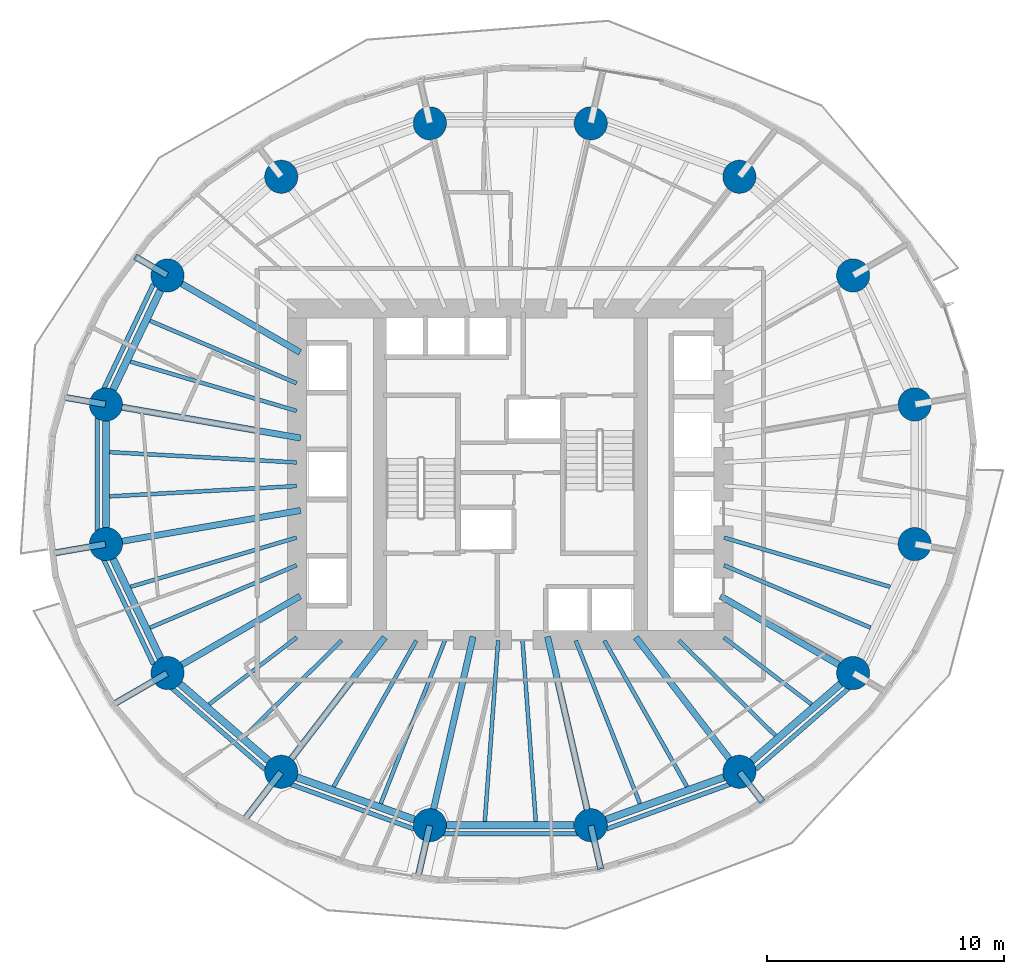
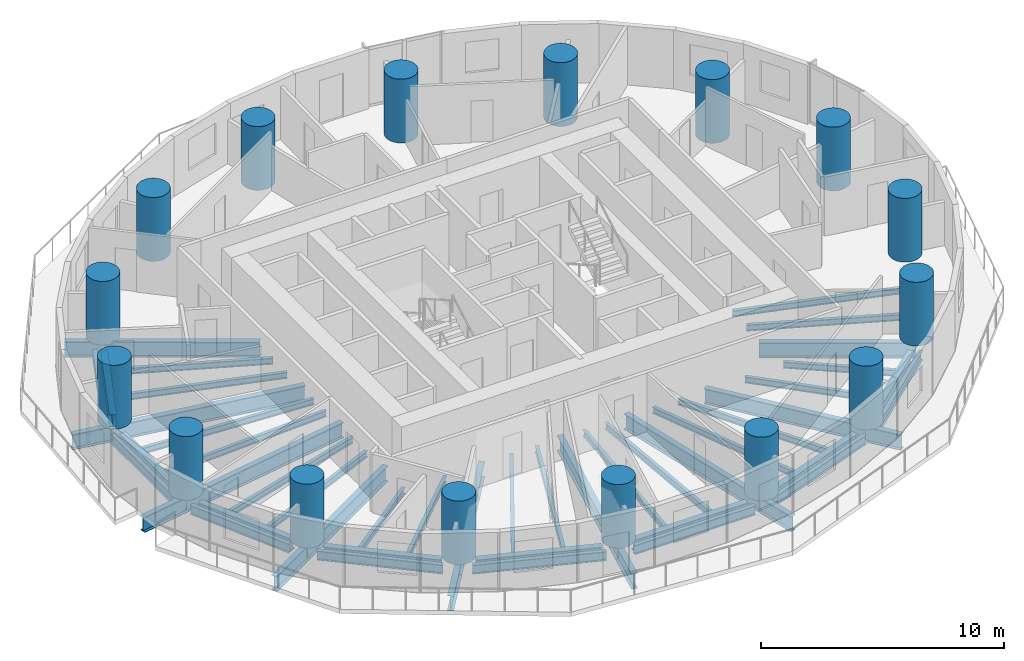
# One storey, part 1 of 13: 51 beams, 16 columns.
"""IFC4 building model written with IfcOpenShell, lengths in metres."""

from ifc_helpers import new_model, si_unit, direction, frame, origin, origin_2d, place, context, subcontext, project, spatial, circle, i_section, extrude, material, material_profile, profile_set, type_object, element, save


model = new_model("IFC4")

# Units and contexts
model_context = context("Model", 3, precision=1e-05, world=origin(), true_north=direction((0.0, 1.0)))
body_context = subcontext(model_context, "Body", "Model", "MODEL_VIEW")
ifc_project = project(units=[si_unit("LENGTHUNIT", "METRE"), si_unit("AREAUNIT", "SQUARE_METRE"), si_unit("VOLUMEUNIT", "CUBIC_METRE"), si_unit("PLANEANGLEUNIT", "RADIAN"), si_unit("MASSUNIT", "GRAM", prefix="KILO")], contexts=[model_context])

# Site, building, storey
site_placement = place(None, origin())
site = spatial("IfcSite", under=ifc_project, at=site_placement, CompositionType="ELEMENT")
building_placement = place(site_placement, origin())
building = spatial("IfcBuilding", under=site, at=building_placement, Name="Veldorim Arch Residences", CompositionType="ELEMENT")
storey_placement = place(building_placement, frame((0.0, 0.0, 56.800048828125)))
storey = spatial("IfcBuildingStorey", under=building, at=storey_placement, Name="L16", CompositionType="ELEMENT", Elevation=56.800048828125)

# Columns
ifc_material_1 = material(Name="Concrete C60/75", Category="concrete")
ifc_material_profile_1 = material_profile(ifc_material_1, circle(Radius=0.699951171875, at=origin_2d()), Name="RC_CIRC_1400")
ifc_profile_set_1 = profile_set([ifc_material_profile_1], Name="Concrete C60/75")
column_type = type_object("IfcColumnType", Name="Structural Column RC_CIRC_1400", PredefinedType="COLUMN", material=ifc_profile_set_1)
for number, where, z_axis, x_axis, name in (
    (1, (49.065673828125, 26.94580078125, 0.0), (0.0, 0.0, 1.0), (1.0, 0.0, 0.0), "L16 TC-Z1-01 perimeter column"),
    (2, (46.467529296875, 32.38916015625, 0.0), (0.0, 0.0, 1.0), (1.0, 0.0, 0.0), "L16 TC-Z1-02 perimeter column"),
    (3, (41.6669921875, 36.55517578125, 0.0), (0.0, 0.0, 1.0), (1.0, 0.0, 0.0), "L16 TC-Z1-03 perimeter column"),
    (4, (35.39453125, 38.809814453125, 0.0), (0.0, 0.0, 1.0), (1.0, 0.0, 0.0), "L16 TC-Z1-04 perimeter column"),
    (5, (28.60546875, 38.809814453125, 0.0), (0.0, 0.0, 1.0), (1.0, 0.0, 0.0), "L16 TC-Z1-05 perimeter column"),
    (6, (22.3330078125, 36.55517578125, 0.0), (0.0, 0.0, 1.0), (1.0, 0.0, 0.0), "L16 TC-Z1-06 perimeter column"),
    (7, (17.532470703125, 32.38916015625, 0.0), (0.0, 0.0, 1.0), (1.0, 0.0, 0.0), "L16 TC-Z1-07 perimeter column"),
    (8, (14.934326171875, 26.94580078125, 0.0), (0.0, 0.0, 1.0), (1.0, 0.0, 0.0), "L16 TC-Z1-08 perimeter column"),
    (9, (14.934326171875, 21.05419921875, 0.0), (0.0, 0.0, 1.0), (1.0, 0.0, 0.0), "L16 TC-Z1-09 perimeter column"),
    (10, (17.532470703125, 15.61083984375, 0.0), (0.0, 0.0, 1.0), (1.0, 0.0, 0.0), "L16 TC-Z1-10 perimeter column"),
    (11, (22.3330078125, 11.44482421875, 0.0), (0.0, 0.0, 1.0), (1.0, 0.0, 0.0), "L16 TC-Z1-11 perimeter column"),
    (12, (28.60546875, 9.190185546875, 0.0), (0.0, 0.0, 1.0), (1.0, 0.0, 0.0), "L16 TC-Z1-12 perimeter column"),
    (13, (35.39453125, 9.190185546875, 0.0), (0.0, 0.0, 1.0), (1.0, 0.0, 0.0), "L16 TC-Z1-13 perimeter column"),
    (14, (41.6669921875, 11.44482421875, 0.0), (0.0, 0.0, 1.0), (1.0, 0.0, 0.0), "L16 TC-Z1-14 perimeter column"),
    (15, (46.467529296875, 15.61083984375, 0.0), (0.0, 0.0, 1.0), (1.0, 0.0, 0.0), "L16 TC-Z1-15 perimeter column"),
    (16, (49.065673828125, 21.05419921875, 0.0), (0.0, 0.0, 1.0), (1.0, 0.0, 0.0), "L16 TC-Z1-16 perimeter column"),
):
    element("IfcColumn", number, at=place(storey_placement, frame(where, z_axis=z_axis, x_axis=x_axis)), inside=storey, type_object=column_type, Name=name, PredefinedType="COLUMN", context=body_context, shape_type="SweptSolid", body=[
        extrude(circle(Radius=0.699951171875, at=origin_2d()), origin(), (0.0, 0.0, 1.0), 3.199951171875),
    ])

# Beams
ifc_material_2 = material(Name="Steel S355", Category="steel")
ifc_material_profile_2 = material_profile(ifc_material_2, i_section(OverallWidth=0.30712890625, OverallDepth=0.6201171875, WebThickness=0.01416015625, FlangeThickness=0.023681640625, at=origin_2d()), Name="UB610x305x179")
ifc_profile_set_2 = profile_set([ifc_material_profile_2], Name="Steel S355")
beam_type_1 = type_object("IfcBeamType", Name="Structural Steel Beam UB610x305x179", PredefinedType="BEAM", material=ifc_profile_set_2)
beam_1_placement = place(storey_placement, frame((17.23095703125, 31.75732421875, -0.550048828125), z_axis=(-0.430776422552, -0.902458682585, 0.0), x_axis=(0.902458682585, -0.430776422552, 0.0)))
element("IfcBeam", 17, at=beam_1_placement, inside=storey, type_object=beam_type_1, Name="L16 perimeter ring tie beam 07", PredefinedType="BEAM", context=body_context, shape_type="SweptSolid", body=[
    extrude(i_section(OverallWidth=0.30712890625, OverallDepth=0.6201171875, WebThickness=0.01416015625, FlangeThickness=0.023681640625, at=origin_2d()), origin(), (0.0, 0.0, 1.0), 4.63134765625),
])
beam_2_placement = place(storey_placement, frame((14.934326171875, 26.245849609375, -0.550048828125), z_axis=(0.0, -1.0, 0.0), x_axis=(1.0, 0.0, 0.0)))
element("IfcBeam", 18, at=beam_2_placement, inside=storey, type_object=beam_type_1, Name="L16 perimeter ring tie beam 08", PredefinedType="BEAM", context=body_context, shape_type="SweptSolid", body=[
    extrude(i_section(OverallWidth=0.30712890625, OverallDepth=0.6201171875, WebThickness=0.01416015625, FlangeThickness=0.023681640625, at=origin_2d()), origin(), (0.0, 0.0, 1.0), 4.49169921875),
])
beam_3_placement = place(storey_placement, frame((15.23583984375, 20.42236328125, -0.550048828125), z_axis=(0.430776422552, -0.902458682585, 0.0), x_axis=(0.902458682585, 0.430776422552, 0.0)))
element("IfcBeam", 19, at=beam_3_placement, inside=storey, type_object=beam_type_1, Name="L16 perimeter ring tie beam 09", PredefinedType="BEAM", context=body_context, shape_type="SweptSolid", body=[
    extrude(i_section(OverallWidth=0.30712890625, OverallDepth=0.6201171875, WebThickness=0.01416015625, FlangeThickness=0.023681640625, at=origin_2d()), origin(), (0.0, 0.0, 1.0), 4.63134765625),
])
beam_4_placement = place(storey_placement, frame((18.06103515625, 15.152099609375, -0.550048828125), z_axis=(0.755264734985, -0.655419850239, 0.0), x_axis=(0.655419850239, 0.755264734985, 0.0)))
element("IfcBeam", 20, at=beam_4_placement, inside=storey, type_object=beam_type_1, Name="L16 perimeter ring tie beam 10", PredefinedType="BEAM", context=body_context, shape_type="SweptSolid", body=[
    extrude(i_section(OverallWidth=0.30712890625, OverallDepth=0.6201171875, WebThickness=0.01416015625, FlangeThickness=0.023681640625, at=origin_2d()), origin(), (0.0, 0.0, 1.0), 4.956298828125),
])
beam_5_placement = place(storey_placement, frame((22.99169921875, 11.2080078125, -0.550048828125), z_axis=(0.941058113369, -0.338244922006, 0.0), x_axis=(0.338244922006, 0.941058113369, 0.0)))
element("IfcBeam", 21, at=beam_5_placement, inside=storey, type_object=beam_type_1, Name="L16 perimeter ring tie beam 11", PredefinedType="BEAM", context=body_context, shape_type="SweptSolid", body=[
    extrude(i_section(OverallWidth=0.30712890625, OverallDepth=0.6201171875, WebThickness=0.01416015625, FlangeThickness=0.023681640625, at=origin_2d()), origin(), (0.0, 0.0, 1.0), 5.265380859375),
])
beam_6_placement = place(storey_placement, frame((29.305419921875, 9.190185546875, -0.550048828125), z_axis=(1.0, 0.0, 0.0), x_axis=(0.0, 1.0, 0.0)))
element("IfcBeam", 22, at=beam_6_placement, inside=storey, type_object=beam_type_1, Name="L16 perimeter ring tie beam 12", PredefinedType="BEAM", context=body_context, shape_type="SweptSolid", body=[
    extrude(i_section(OverallWidth=0.30712890625, OverallDepth=0.6201171875, WebThickness=0.01416015625, FlangeThickness=0.023681640625, at=origin_2d()), origin(), (0.0, 0.0, 1.0), 5.38916015625),
])
beam_7_placement = place(storey_placement, frame((36.05322265625, 9.427001953125, -0.550048828125), z_axis=(0.941058113369, 0.338244922006, 0.0), x_axis=(-0.338244922006, 0.941058113369, 0.0)))
element("IfcBeam", 23, at=beam_7_placement, inside=storey, type_object=beam_type_1, Name="L16 perimeter ring tie beam 13", PredefinedType="BEAM", context=body_context, shape_type="SweptSolid", body=[
    extrude(i_section(OverallWidth=0.30712890625, OverallDepth=0.6201171875, WebThickness=0.01416015625, FlangeThickness=0.023681640625, at=origin_2d()), origin(), (0.0, 0.0, 1.0), 5.265380859375),
])
beam_8_placement = place(storey_placement, frame((42.195556640625, 11.903564453125, -0.550048828125), z_axis=(0.755264734985, 0.655419850239, 0.0), x_axis=(-0.655419850239, 0.755264734985, 0.0)))
element("IfcBeam", 24, at=beam_8_placement, inside=storey, type_object=beam_type_1, Name="L16 perimeter ring tie beam 14", PredefinedType="BEAM", context=body_context, shape_type="SweptSolid", body=[
    extrude(i_section(OverallWidth=0.30712890625, OverallDepth=0.6201171875, WebThickness=0.01416015625, FlangeThickness=0.023681640625, at=origin_2d()), origin(), (0.0, 0.0, 1.0), 4.956298828125),
])
ifc_material_3 = material(Name="Steel S355", Category="steel")
ifc_material_profile_3 = material_profile(ifc_material_3, i_section(OverallWidth=0.26806640625, OverallDepth=0.769775390625, WebThickness=0.015625, FlangeThickness=0.025390625, at=origin_2d()), Name="UB762x267x197")
ifc_profile_set_3 = profile_set([ifc_material_profile_3], Name="Steel S355")
beam_type_2 = type_object("IfcBeamType", Name="Structural Steel GIRDER UB762x267x197", PredefinedType="USERDEFINED", material=ifc_profile_set_3)
beam_9_placement = place(storey_placement, frame((23.1298828125, 29.1435546875, -0.625), z_axis=(-0.865088348752, 0.501619525989, 0.0), x_axis=(-0.501619525989, -0.865088348752, 0.0)))
element("IfcBeam", 25, at=beam_9_placement, inside=storey, type_object=beam_type_2, Name="L16 radial floor girder 07", ObjectType="GIRDER", PredefinedType="USERDEFINED", context=body_context, shape_type="SweptSolid", body=[
    extrude(i_section(OverallWidth=0.26806640625, OverallDepth=0.769775390625, WebThickness=0.015625, FlangeThickness=0.025390625, at=origin_2d()), origin(), (0.0, 0.0, 1.0), 6.4501953125),
])
beam_10_placement = place(storey_placement, frame((17.51513671875, 32.399169921875, -0.625), z_axis=(-0.865069192435, 0.50165256134, 0.0), x_axis=(-0.50165256134, -0.865069192435, 0.0)))
element("IfcBeam", 26, at=beam_10_placement, inside=storey, type_object=beam_type_2, Name="L16 radial edge cantilever girder 07", ObjectType="GIRDER", PredefinedType="USERDEFINED", context=body_context, shape_type="SweptSolid", body=[
    extrude(i_section(OverallWidth=0.26806640625, OverallDepth=0.769775390625, WebThickness=0.015625, FlangeThickness=0.025390625, at=origin_2d()), origin(), (0.0, 0.0, 1.0), 1.561279296875),
])
beam_11_placement = place(storey_placement, frame((23.147705078125, 25.528076171875, -0.625), z_axis=(-0.985427548249, 0.170095699979, 0.0), x_axis=(-0.170095699979, -0.985427548249, 0.0)))
element("IfcBeam", 27, at=beam_11_placement, inside=storey, type_object=beam_type_2, Name="L16 radial floor girder 08", ObjectType="GIRDER", PredefinedType="USERDEFINED", context=body_context, shape_type="SweptSolid", body=[
    extrude(i_section(OverallWidth=0.26806640625, OverallDepth=0.769775390625, WebThickness=0.015625, FlangeThickness=0.025390625, at=origin_2d()), origin(), (0.0, 0.0, 1.0), 8.314697265625),
])
beam_12_placement = place(storey_placement, frame((14.91455078125, 26.94921875, -0.625), z_axis=(-0.985429411719, 0.170084903857, 0.0), x_axis=(-0.170084903857, -0.985429411719, 0.0)))
element("IfcBeam", 28, at=beam_12_placement, inside=storey, type_object=beam_type_2, Name="L16 radial edge cantilever girder 08", ObjectType="GIRDER", PredefinedType="USERDEFINED", context=body_context, shape_type="SweptSolid", body=[
    extrude(i_section(OverallWidth=0.26806640625, OverallDepth=0.769775390625, WebThickness=0.015625, FlangeThickness=0.025390625, at=origin_2d()), origin(), (0.0, 0.0, 1.0), 1.83740234375),
])
beam_13_placement = place(storey_placement, frame((23.147705078125, 22.471923828125, -0.625), z_axis=(-0.985427548249, -0.170095699979, 0.0), x_axis=(0.170095699979, -0.985427548249, 0.0)))
element("IfcBeam", 29, at=beam_13_placement, inside=storey, type_object=beam_type_2, Name="L16 radial floor girder 09", ObjectType="GIRDER", PredefinedType="USERDEFINED", context=body_context, shape_type="SweptSolid", body=[
    extrude(i_section(OverallWidth=0.26806640625, OverallDepth=0.769775390625, WebThickness=0.015625, FlangeThickness=0.025390625, at=origin_2d()), origin(), (0.0, 0.0, 1.0), 8.314697265625),
])
beam_14_placement = place(storey_placement, frame((14.91455078125, 21.05078125, -0.625), z_axis=(-0.985413878658, -0.170174874021, 0.0), x_axis=(0.170174874021, -0.985413878658, 0.0)))
element("IfcBeam", 30, at=beam_14_placement, inside=storey, type_object=beam_type_2, Name="L16 radial edge cantilever girder 09", ObjectType="GIRDER", PredefinedType="USERDEFINED", context=body_context, shape_type="SweptSolid", body=[
    extrude(i_section(OverallWidth=0.26806640625, OverallDepth=0.769775390625, WebThickness=0.015625, FlangeThickness=0.025390625, at=origin_2d()), origin(), (0.0, 0.0, 1.0), 2.288330078125),
])
beam_15_placement = place(storey_placement, frame((23.1298828125, 18.8564453125, -0.625), z_axis=(-0.865088348752, -0.501619525989, 0.0), x_axis=(0.501619525989, -0.865088348752, 0.0)))
element("IfcBeam", 31, at=beam_15_placement, inside=storey, type_object=beam_type_2, Name="L16 radial floor girder 10", ObjectType="GIRDER", PredefinedType="USERDEFINED", context=body_context, shape_type="SweptSolid", body=[
    extrude(i_section(OverallWidth=0.26806640625, OverallDepth=0.769775390625, WebThickness=0.015625, FlangeThickness=0.025390625, at=origin_2d()), origin(), (0.0, 0.0, 1.0), 6.4501953125),
])
beam_16_placement = place(storey_placement, frame((17.51513671875, 15.600830078125, -0.625), z_axis=(-0.865102620341, -0.501594912534, 0.0), x_axis=(0.501594912534, -0.865102620341, 0.0)))
element("IfcBeam", 32, at=beam_16_placement, inside=storey, type_object=beam_type_2, Name="L16 radial edge cantilever girder 10", ObjectType="GIRDER", PredefinedType="USERDEFINED", context=body_context, shape_type="SweptSolid", body=[
    extrude(i_section(OverallWidth=0.26806640625, OverallDepth=0.769775390625, WebThickness=0.015625, FlangeThickness=0.025390625, at=origin_2d()), origin(), (0.0, 0.0, 1.0), 2.669677734375),
])
beam_17_placement = place(storey_placement, frame((26.701904296875, 17.118896484375, -0.625), z_axis=(-0.610082439157, -0.792337943956, 0.0), x_axis=(0.792337943956, -0.610082439157, 0.0)))
element("IfcBeam", 33, at=beam_17_placement, inside=storey, type_object=beam_type_2, Name="L16 radial floor girder 11", ObjectType="GIRDER", PredefinedType="USERDEFINED", context=body_context, shape_type="SweptSolid", body=[
    extrude(i_section(OverallWidth=0.26806640625, OverallDepth=0.769775390625, WebThickness=0.015625, FlangeThickness=0.025390625, at=origin_2d()), origin(), (0.0, 0.0, 1.0), 7.14111328125),
])
beam_18_placement = place(storey_placement, frame((22.32080078125, 11.428955078125, -0.625), z_axis=(-0.610041651391, -0.792369347948, 0.0), x_axis=(0.792369347948, -0.610041651391, 0.0)))
element("IfcBeam", 34, at=beam_18_placement, inside=storey, type_object=beam_type_2, Name="L16 radial edge cantilever girder 11", ObjectType="GIRDER", PredefinedType="USERDEFINED", context=body_context, shape_type="SweptSolid", body=[
    extrude(i_section(OverallWidth=0.26806640625, OverallDepth=0.769775390625, WebThickness=0.015625, FlangeThickness=0.025390625, at=origin_2d()), origin(), (0.0, 0.0, 1.0), 2.56689453125),
])
beam_19_placement = place(storey_placement, frame((30.428955078125, 17.146240234375, -0.625), z_axis=(-0.223411766201, -0.974724157248, 0.0), x_axis=(0.974724157248, -0.223411766201, 0.0)))
element("IfcBeam", 35, at=beam_19_placement, inside=storey, type_object=beam_type_2, Name="L16 radial floor girder 12", ObjectType="GIRDER", PredefinedType="USERDEFINED", context=body_context, shape_type="SweptSolid", body=[
    extrude(i_section(OverallWidth=0.26806640625, OverallDepth=0.769775390625, WebThickness=0.015625, FlangeThickness=0.025390625, at=origin_2d()), origin(), (0.0, 0.0, 1.0), 8.142333984375),
])
beam_20_placement = place(storey_placement, frame((28.600830078125, 9.170654296875, -0.625), z_axis=(-0.223363216183, -0.974735283888, 0.0), x_axis=(0.974735283888, -0.223363216183, 0.0)))
element("IfcBeam", 36, at=beam_20_placement, inside=storey, type_object=beam_type_2, Name="L16 radial edge cantilever girder 12", ObjectType="GIRDER", PredefinedType="USERDEFINED", context=body_context, shape_type="SweptSolid", body=[
    extrude(i_section(OverallWidth=0.26806640625, OverallDepth=0.769775390625, WebThickness=0.015625, FlangeThickness=0.025390625, at=origin_2d()), origin(), (0.0, 0.0, 1.0), 2.24072265625),
])
beam_21_placement = place(storey_placement, frame((33.571044921875, 17.146240234375, -0.625), z_axis=(0.223411766201, -0.974724157248, 0.0), x_axis=(0.974724157248, 0.223411766201, 0.0)))
element("IfcBeam", 37, at=beam_21_placement, inside=storey, type_object=beam_type_2, Name="L16 radial floor girder 13", ObjectType="GIRDER", PredefinedType="USERDEFINED", context=body_context, shape_type="SweptSolid", body=[
    extrude(i_section(OverallWidth=0.26806640625, OverallDepth=0.769775390625, WebThickness=0.015625, FlangeThickness=0.025390625, at=origin_2d()), origin(), (0.0, 0.0, 1.0), 8.142333984375),
])
beam_22_placement = place(storey_placement, frame((35.399169921875, 9.170654296875, -0.625), z_axis=(0.223322154624, -0.974744692345, 0.0), x_axis=(0.974744692345, 0.223322154624, 0.0)))
element("IfcBeam", 38, at=beam_22_placement, inside=storey, type_object=beam_type_2, Name="L16 radial edge cantilever girder 13", ObjectType="GIRDER", PredefinedType="USERDEFINED", context=body_context, shape_type="SweptSolid", body=[
    extrude(i_section(OverallWidth=0.26806640625, OverallDepth=0.769775390625, WebThickness=0.015625, FlangeThickness=0.025390625, at=origin_2d()), origin(), (0.0, 0.0, 1.0), 1.879150390625),
])
beam_23_placement = place(storey_placement, frame((37.298095703125, 17.118896484375, -0.625), z_axis=(0.610082439157, -0.792337943956, 0.0), x_axis=(0.792337943956, 0.610082439157, 0.0)))
element("IfcBeam", 39, at=beam_23_placement, inside=storey, type_object=beam_type_2, Name="L16 radial floor girder 14", ObjectType="GIRDER", PredefinedType="USERDEFINED", context=body_context, shape_type="SweptSolid", body=[
    extrude(i_section(OverallWidth=0.26806640625, OverallDepth=0.769775390625, WebThickness=0.015625, FlangeThickness=0.025390625, at=origin_2d()), origin(), (0.0, 0.0, 1.0), 7.14111328125),
])
beam_24_placement = place(storey_placement, frame((41.67919921875, 11.428955078125, -0.625), z_axis=(0.610061594732, -0.792353993259, 0.0), x_axis=(0.792353993259, 0.610061594732, 0.0)))
element("IfcBeam", 40, at=beam_24_placement, inside=storey, type_object=beam_type_2, Name="L16 radial edge cantilever girder 14", ObjectType="GIRDER", PredefinedType="USERDEFINED", context=body_context, shape_type="SweptSolid", body=[
    extrude(i_section(OverallWidth=0.26806640625, OverallDepth=0.769775390625, WebThickness=0.015625, FlangeThickness=0.025390625, at=origin_2d()), origin(), (0.0, 0.0, 1.0), 1.580322265625),
])
beam_25_placement = place(storey_placement, frame((40.8701171875, 18.8564453125, -0.625), z_axis=(0.865088348752, -0.501619525989, 0.0), x_axis=(0.501619525989, 0.865088348752, 0.0)))
element("IfcBeam", 41, at=beam_25_placement, inside=storey, type_object=beam_type_2, Name="L16 radial floor girder 15", ObjectType="GIRDER", PredefinedType="USERDEFINED", context=body_context, shape_type="SweptSolid", body=[
    extrude(i_section(OverallWidth=0.26806640625, OverallDepth=0.769775390625, WebThickness=0.015625, FlangeThickness=0.025390625, at=origin_2d()), origin(), (0.0, 0.0, 1.0), 6.4501953125),
])
ifc_material_4 = material(Name="Steel S355", Category="steel")
ifc_material_profile_4 = material_profile(ifc_material_4, i_section(OverallWidth=0.165771484375, OverallDepth=0.306640625, WebThickness=0.006591796875, FlangeThickness=0.01171875, at=origin_2d()), Name="UB305x165x46")
ifc_profile_set_4 = profile_set([ifc_material_profile_4], Name="Steel S355")
beam_type_3 = type_object("IfcBeamType", Name="Structural Steel Joist UB305x165x46", PredefinedType="JOIST", material=ifc_profile_set_4)
beam_26_placement = place(storey_placement, frame((22.981689453125, 27.84130859375, -0.393310546875), z_axis=(-0.920032948668, 0.391841005213, 0.0), x_axis=(-0.391841005213, -0.920032948668, 0.0)))
element("IfcBeam", 42, at=beam_26_placement, inside=storey, type_object=beam_type_3, Name="L16 secondary radial floor joist 07-1", PredefinedType="JOIST", context=body_context, shape_type="SweptSolid", body=[
    extrude(i_section(OverallWidth=0.165771484375, OverallDepth=0.306640625, WebThickness=0.006591796875, FlangeThickness=0.01171875, at=origin_2d()), origin(), (0.0, 0.0, 1.0), 6.723388671875),
])
beam_27_placement = place(storey_placement, frame((22.980712890625, 26.67333984375, -0.393310546875), z_axis=(-0.958766778771, 0.284194060325, 0.0), x_axis=(-0.284194060325, -0.958766778771, 0.0)))
element("IfcBeam", 43, at=beam_27_placement, inside=storey, type_object=beam_type_3, Name="L16 secondary radial floor joist 07-2", PredefinedType="JOIST", context=body_context, shape_type="SweptSolid", body=[
    extrude(i_section(OverallWidth=0.165771484375, OverallDepth=0.306640625, WebThickness=0.006591796875, FlangeThickness=0.01171875, at=origin_2d()), origin(), (0.0, 0.0, 1.0), 7.3115234375),
])
for number, where, z_axis, x_axis, name in (
    (44, (22.97998046875, 24.498291015625, -0.393310546875), (-0.998478371109, 0.055144740699, 0.0), (-0.055144740699, -0.998478371109, 0.0), "L16 secondary radial floor joist 08-1"),
    (45, (22.97998046875, 23.501708984375, -0.393310546875), (-0.998478371109, -0.055144740699, 0.0), (0.055144740699, -0.998478371109, 0.0), "L16 secondary radial floor joist 08-2"),
):
    element("IfcBeam", number, at=place(storey_placement, frame(where, z_axis=z_axis, x_axis=x_axis)), inside=storey, type_object=beam_type_3, Name=name, PredefinedType="JOIST", context=body_context, shape_type="SweptSolid", body=[
        extrude(i_section(OverallWidth=0.165771484375, OverallDepth=0.306640625, WebThickness=0.006591796875, FlangeThickness=0.01171875, at=origin_2d()), origin(), (0.0, 0.0, 1.0), 7.898193359375),
    ])
beam_28_placement = place(storey_placement, frame((22.980712890625, 21.32666015625, -0.393310546875), z_axis=(-0.958766778771, -0.284194060325, 0.0), x_axis=(0.284194060325, -0.958766778771, 0.0)))
element("IfcBeam", 46, at=beam_28_placement, inside=storey, type_object=beam_type_3, Name="L16 secondary radial floor joist 09-1", PredefinedType="JOIST", context=body_context, shape_type="SweptSolid", body=[
    extrude(i_section(OverallWidth=0.165771484375, OverallDepth=0.306640625, WebThickness=0.006591796875, FlangeThickness=0.01171875, at=origin_2d()), origin(), (0.0, 0.0, 1.0), 7.3115234375),
])
beam_29_placement = place(storey_placement, frame((22.981689453125, 20.15869140625, -0.393310546875), z_axis=(-0.920032948668, -0.391841005213, 0.0), x_axis=(0.391841005213, -0.920032948668, 0.0)))
element("IfcBeam", 47, at=beam_29_placement, inside=storey, type_object=beam_type_3, Name="L16 secondary radial floor joist 09-2", PredefinedType="JOIST", context=body_context, shape_type="SweptSolid", body=[
    extrude(i_section(OverallWidth=0.165771484375, OverallDepth=0.306640625, WebThickness=0.006591796875, FlangeThickness=0.01171875, at=origin_2d()), origin(), (0.0, 0.0, 1.0), 6.723388671875),
])
beam_30_placement = place(storey_placement, frame((22.984130859375, 17.1123046875, -0.393310546875), z_axis=(-0.794666431166, -0.607046343517, 0.0), x_axis=(0.607046343517, -0.794666431166, 0.0)))
element("IfcBeam", 48, at=beam_30_placement, inside=storey, type_object=beam_type_3, Name="L16 secondary radial floor joist 10-1", PredefinedType="JOIST", context=body_context, shape_type="SweptSolid", body=[
    extrude(i_section(OverallWidth=0.165771484375, OverallDepth=0.306640625, WebThickness=0.006591796875, FlangeThickness=0.01171875, at=origin_2d()), origin(), (0.0, 0.0, 1.0), 4.646728515625),
])
beam_31_placement = place(storey_placement, frame((24.885009765625, 16.986083984375, -0.393310546875), z_axis=(-0.712129078446, -0.702048556463, 0.0), x_axis=(0.702048556463, -0.712129078446, 0.0)))
element("IfcBeam", 49, at=beam_31_placement, inside=storey, type_object=beam_type_3, Name="L16 secondary radial floor joist 10-2", PredefinedType="JOIST", context=body_context, shape_type="SweptSolid", body=[
    extrude(i_section(OverallWidth=0.165771484375, OverallDepth=0.306640625, WebThickness=0.006591796875, FlangeThickness=0.01171875, at=origin_2d()), origin(), (0.0, 0.0, 1.0), 5.715576171875),
])
beam_32_placement = place(storey_placement, frame((28.03125, 16.982666015625, -0.393310546875), z_axis=(-0.492292335352, -0.870429926274, 0.0), x_axis=(0.870429926274, -0.492292335352, 0.0)))
element("IfcBeam", 50, at=beam_32_placement, inside=storey, type_object=beam_type_3, Name="L16 secondary radial floor joist 11-1", PredefinedType="JOIST", context=body_context, shape_type="SweptSolid", body=[
    extrude(i_section(OverallWidth=0.165771484375, OverallDepth=0.306640625, WebThickness=0.006591796875, FlangeThickness=0.01171875, at=origin_2d()), origin(), (0.0, 0.0, 1.0), 7.083251953125),
])
beam_33_placement = place(storey_placement, frame((29.237548828125, 16.9814453125, -0.393310546875), z_axis=(-0.366229833858, -0.930524426758, 0.0), x_axis=(0.930524426758, -0.366229833858, 0.0)))
element("IfcBeam", 51, at=beam_33_placement, inside=storey, type_object=beam_type_3, Name="L16 secondary radial floor joist 11-2", PredefinedType="JOIST", context=body_context, shape_type="SweptSolid", body=[
    extrude(i_section(OverallWidth=0.165771484375, OverallDepth=0.306640625, WebThickness=0.006591796875, FlangeThickness=0.01171875, at=origin_2d()), origin(), (0.0, 0.0, 1.0), 7.3896484375),
])
for number, where, z_axis, x_axis, name in (
    (52, (31.485107421875, 16.97998046875, -0.393310546875), (-0.073167620373, -0.997319657547, 0.0), (0.997319657547, -0.073167620373, 0.0), "L16 secondary radial floor joist 12-1"),
    (53, (32.514892578125, 16.97998046875, -0.393310546875), (0.073167620373, -0.997319657547, 0.0), (0.997319657547, 0.073167620373, 0.0), "L16 secondary radial floor joist 12-2"),
):
    element("IfcBeam", number, at=place(storey_placement, frame(where, z_axis=z_axis, x_axis=x_axis)), inside=storey, type_object=beam_type_3, Name=name, PredefinedType="JOIST", context=body_context, shape_type="SweptSolid", body=[
        extrude(i_section(OverallWidth=0.165771484375, OverallDepth=0.306640625, WebThickness=0.006591796875, FlangeThickness=0.01171875, at=origin_2d()), origin(), (0.0, 0.0, 1.0), 7.651123046875),
    ])
beam_34_placement = place(storey_placement, frame((34.762451171875, 16.9814453125, -0.393310546875), z_axis=(0.366229833858, -0.930524426758, 0.0), x_axis=(0.930524426758, 0.366229833858, 0.0)))
element("IfcBeam", 54, at=beam_34_placement, inside=storey, type_object=beam_type_3, Name="L16 secondary radial floor joist 13-1", PredefinedType="JOIST", context=body_context, shape_type="SweptSolid", body=[
    extrude(i_section(OverallWidth=0.165771484375, OverallDepth=0.306640625, WebThickness=0.006591796875, FlangeThickness=0.01171875, at=origin_2d()), origin(), (0.0, 0.0, 1.0), 7.3896484375),
])
beam_35_placement = place(storey_placement, frame((35.96875, 16.982666015625, -0.393310546875), z_axis=(0.492292335352, -0.870429926274, 0.0), x_axis=(0.870429926274, 0.492292335352, 0.0)))
element("IfcBeam", 55, at=beam_35_placement, inside=storey, type_object=beam_type_3, Name="L16 secondary radial floor joist 13-2", PredefinedType="JOIST", context=body_context, shape_type="SweptSolid", body=[
    extrude(i_section(OverallWidth=0.165771484375, OverallDepth=0.306640625, WebThickness=0.006591796875, FlangeThickness=0.01171875, at=origin_2d()), origin(), (0.0, 0.0, 1.0), 7.083251953125),
])
beam_36_placement = place(storey_placement, frame((39.114990234375, 16.986083984375, -0.393310546875), z_axis=(0.712129078446, -0.702048556463, 0.0), x_axis=(0.702048556463, 0.712129078446, 0.0)))
element("IfcBeam", 56, at=beam_36_placement, inside=storey, type_object=beam_type_3, Name="L16 secondary radial floor joist 14-1", PredefinedType="JOIST", context=body_context, shape_type="SweptSolid", body=[
    extrude(i_section(OverallWidth=0.165771484375, OverallDepth=0.306640625, WebThickness=0.006591796875, FlangeThickness=0.01171875, at=origin_2d()), origin(), (0.0, 0.0, 1.0), 5.715576171875),
])
beam_37_placement = place(storey_placement, frame((41.015869140625, 17.1123046875, -0.393310546875), z_axis=(0.794666431166, -0.607046343517, 0.0), x_axis=(0.607046343517, 0.794666431166, 0.0)))
element("IfcBeam", 57, at=beam_37_placement, inside=storey, type_object=beam_type_3, Name="L16 secondary radial floor joist 14-2", PredefinedType="JOIST", context=body_context, shape_type="SweptSolid", body=[
    extrude(i_section(OverallWidth=0.165771484375, OverallDepth=0.306640625, WebThickness=0.006591796875, FlangeThickness=0.01171875, at=origin_2d()), origin(), (0.0, 0.0, 1.0), 4.646728515625),
])
beam_38_placement = place(storey_placement, frame((41.018310546875, 20.15869140625, -0.393310546875), z_axis=(0.920032948668, -0.391841005213, 0.0), x_axis=(0.391841005213, 0.920032948668, 0.0)))
element("IfcBeam", 58, at=beam_38_placement, inside=storey, type_object=beam_type_3, Name="L16 secondary radial floor joist 15-1", PredefinedType="JOIST", context=body_context, shape_type="SweptSolid", body=[
    extrude(i_section(OverallWidth=0.165771484375, OverallDepth=0.306640625, WebThickness=0.006591796875, FlangeThickness=0.01171875, at=origin_2d()), origin(), (0.0, 0.0, 1.0), 6.723388671875),
])
beam_39_placement = place(storey_placement, frame((41.019287109375, 21.32666015625, -0.393310546875), z_axis=(0.958766778771, -0.284194060325, 0.0), x_axis=(0.284194060325, 0.958766778771, 0.0)))
element("IfcBeam", 59, at=beam_39_placement, inside=storey, type_object=beam_type_3, Name="L16 secondary radial floor joist 15-2", PredefinedType="JOIST", context=body_context, shape_type="SweptSolid", body=[
    extrude(i_section(OverallWidth=0.165771484375, OverallDepth=0.306640625, WebThickness=0.006591796875, FlangeThickness=0.01171875, at=origin_2d()), origin(), (0.0, 0.0, 1.0), 7.3115234375),
])
ifc_material_5 = material(Name="Steel S355", Category="steel")
ifc_material_profile_5 = material_profile(ifc_material_5, i_section(OverallWidth=0.19140625, OverallDepth=0.4599609375, WebThickness=0.010009765625, FlangeThickness=0.01611328125, at=origin_2d()), Name="UB457x191x82")
ifc_profile_set_5 = profile_set([ifc_material_profile_5], Name="Steel S355")
beam_type_4 = type_object("IfcBeamType", Name="Structural Steel Spandrel UB457x191x82", PredefinedType="SPANDREL", material=ifc_profile_set_5)
beam_40_placement = place(storey_placement, frame((16.939453125, 32.023193359375, -0.489990234375), z_axis=(-0.428847831425, -0.903376741721, 0.0), x_axis=(0.903376741721, -0.428847831425, 0.0)))
element("IfcBeam", 60, at=beam_40_placement, inside=storey, type_object=beam_type_4, Name="L16 perimeter chord spandrel beam 07", PredefinedType="SPANDREL", context=body_context, shape_type="SweptSolid", body=[
    extrude(i_section(OverallWidth=0.19140625, OverallDepth=0.4599609375, WebThickness=0.010009765625, FlangeThickness=0.01611328125, at=origin_2d()), origin(), (0.0, 0.0, 1.0), 4.932861328125),
])
beam_41_placement = place(storey_placement, frame((14.559814453125, 26.39453125, -0.489990234375), z_axis=(0.0, -1.0, 0.0), x_axis=(1.0, 0.0, 0.0)))
element("IfcBeam", 61, at=beam_41_placement, inside=storey, type_object=beam_type_4, Name="L16 perimeter chord spandrel beam 08", PredefinedType="SPANDREL", context=body_context, shape_type="SweptSolid", body=[
    extrude(i_section(OverallWidth=0.19140625, OverallDepth=0.4599609375, WebThickness=0.010009765625, FlangeThickness=0.01611328125, at=origin_2d()), origin(), (0.0, 0.0, 1.0), 4.7890625),
])
beam_42_placement = place(storey_placement, frame((14.823974609375, 20.43310546875, -0.489990234375), z_axis=(0.428847831425, -0.903376741721, 0.0), x_axis=(0.903376741721, 0.428847831425, 0.0)))
element("IfcBeam", 62, at=beam_42_placement, inside=storey, type_object=beam_type_4, Name="L16 perimeter chord spandrel beam 09", PredefinedType="SPANDREL", context=body_context, shape_type="SweptSolid", body=[
    extrude(i_section(OverallWidth=0.19140625, OverallDepth=0.4599609375, WebThickness=0.010009765625, FlangeThickness=0.01611328125, at=origin_2d()), origin(), (0.0, 0.0, 1.0), 4.932861328125),
])
beam_43_placement = place(storey_placement, frame((17.667724609375, 15.01513671875, -0.489990234375), z_axis=(0.75323350982, -0.657753205758, 0.0), x_axis=(0.657753205758, 0.75323350982, 0.0)))
element("IfcBeam", 63, at=beam_43_placement, inside=storey, type_object=beam_type_4, Name="L16 perimeter chord spandrel beam 10", PredefinedType="SPANDREL", context=body_context, shape_type="SweptSolid", body=[
    extrude(i_section(OverallWidth=0.19140625, OverallDepth=0.4599609375, WebThickness=0.010009765625, FlangeThickness=0.01611328125, at=origin_2d()), origin(), (0.0, 0.0, 1.0), 5.27001953125),
])
beam_44_placement = place(storey_placement, frame((22.680419921875, 10.93408203125, -0.489990234375), z_axis=(0.940268980555, -0.340432437064, 0.0), x_axis=(0.340432437064, 0.940268980555, 0.0)))
element("IfcBeam", 64, at=beam_44_placement, inside=storey, type_object=beam_type_4, Name="L16 perimeter chord spandrel beam 11", PredefinedType="SPANDREL", context=body_context, shape_type="SweptSolid", body=[
    extrude(i_section(OverallWidth=0.19140625, OverallDepth=0.4599609375, WebThickness=0.010009765625, FlangeThickness=0.01611328125, at=origin_2d()), origin(), (0.0, 0.0, 1.0), 5.59521484375),
])
beam_45_placement = place(storey_placement, frame((29.136474609375, 8.819580078125, -0.489990234375), z_axis=(1.0, 0.0, 0.0), x_axis=(0.0, 1.0, 0.0)))
element("IfcBeam", 65, at=beam_45_placement, inside=storey, type_object=beam_type_4, Name="L16 perimeter chord spandrel beam 12", PredefinedType="SPANDREL", context=body_context, shape_type="SweptSolid", body=[
    extrude(i_section(OverallWidth=0.19140625, OverallDepth=0.4599609375, WebThickness=0.010009765625, FlangeThickness=0.01611328125, at=origin_2d()), origin(), (0.0, 0.0, 1.0), 5.72705078125),
])
beam_46_placement = place(storey_placement, frame((36.05859375, 9.029296875, -0.489990234375), z_axis=(0.940268980555, 0.340432437064, 0.0), x_axis=(-0.340432437064, 0.940268980555, 0.0)))
element("IfcBeam", 66, at=beam_46_placement, inside=storey, type_object=beam_type_4, Name="L16 perimeter chord spandrel beam 13", PredefinedType="SPANDREL", context=body_context, shape_type="SweptSolid", body=[
    extrude(i_section(OverallWidth=0.19140625, OverallDepth=0.4599609375, WebThickness=0.010009765625, FlangeThickness=0.01611328125, at=origin_2d()), origin(), (0.0, 0.0, 1.0), 5.59521484375),
])
beam_47_placement = place(storey_placement, frame((42.36279296875, 11.548828125, -0.489990234375), z_axis=(0.75323350982, 0.657753205758, 0.0), x_axis=(-0.657753205758, 0.75323350982, 0.0)))
element("IfcBeam", 67, at=beam_47_placement, inside=storey, type_object=beam_type_4, Name="L16 perimeter chord spandrel beam 14", PredefinedType="SPANDREL", context=body_context, shape_type="SweptSolid", body=[
    extrude(i_section(OverallWidth=0.19140625, OverallDepth=0.4599609375, WebThickness=0.010009765625, FlangeThickness=0.01611328125, at=origin_2d()), origin(), (0.0, 0.0, 1.0), 5.27001953125),
])

save(model, "model.ifc")
